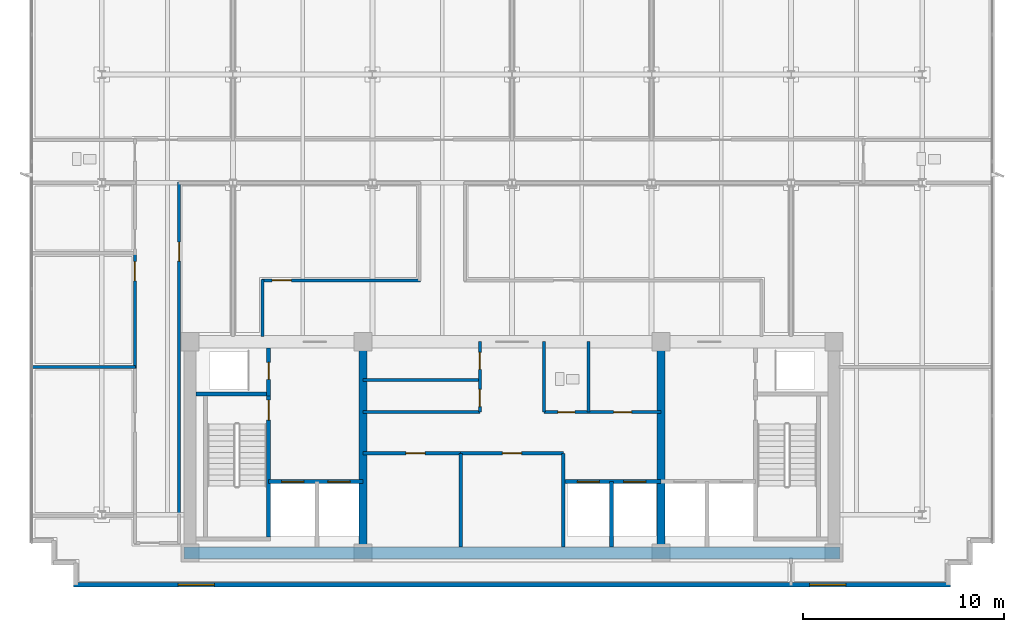
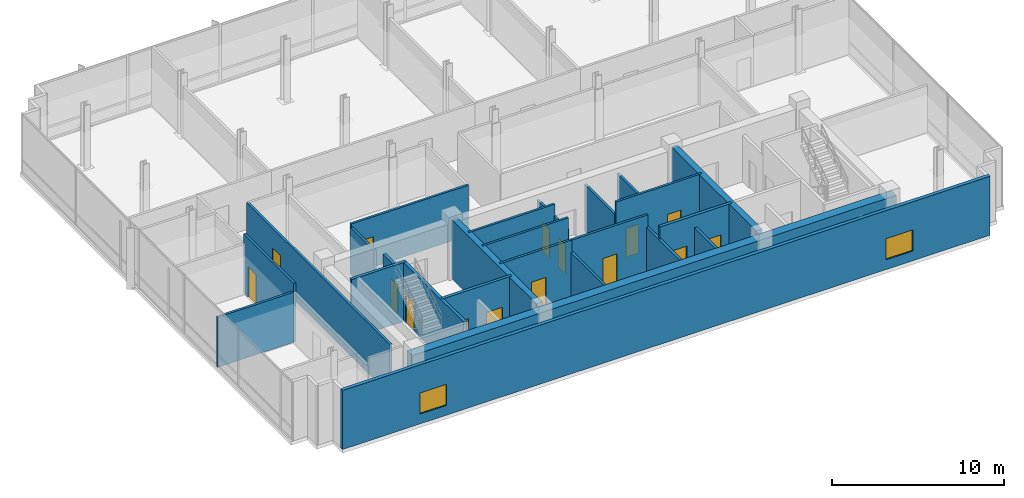
# One storey, part 10 of 17: 25 walls, 15 doors, 2 windows, 17 openings.
"""IFC4 building model written with IfcOpenShell, lengths in metres."""

from ifc_helpers import new_model, si_unit, direction, frame, frame_2d, origin, place, context, subcontext, project, spatial, rectangle, extrude, material, layer, layer_set, type_object, element, fill, save


model = new_model("IFC4")

# Units and contexts
model_context = context("Model", 3, precision=1e-05, world=origin(), true_north=direction((0.0, 1.0)))
body_context = subcontext(model_context, "Body", "Model", "MODEL_VIEW")
ifc_project = project(units=[si_unit("LENGTHUNIT", "METRE"), si_unit("AREAUNIT", "SQUARE_METRE"), si_unit("VOLUMEUNIT", "CUBIC_METRE"), si_unit("PLANEANGLEUNIT", "RADIAN"), si_unit("MASSUNIT", "GRAM", prefix="KILO")], contexts=[model_context])

# Site, building, storey
site_placement = place(None, origin())
site = spatial("IfcSite", under=ifc_project, at=site_placement, CompositionType="ELEMENT")
building_placement = place(site_placement, origin())
building = spatial("IfcBuilding", under=site, at=building_placement, Name="Solmavex Isthmus Hotel", CompositionType="ELEMENT")
storey_placement = place(building_placement, frame((0.0, 0.0, 286.800048828125)))
storey = spatial("IfcBuildingStorey", under=building, at=storey_placement, Name="L78", CompositionType="ELEMENT", Elevation=286.800048828125)

# Wall, openings, windows
ifc_material_1 = material(Name="Precast Concrete C40/50", Category="concrete")
ifc_layer_1 = layer(ifc_material_1, 0.25)
ifc_layer_set_1 = layer_set([ifc_layer_1], Name="Precast Concrete C40/50")
wall_type_1 = type_object("IfcWallType", Name="EW-TWR-250", PredefinedType="STANDARD", material=ifc_layer_set_1)
wall_1_placement = place(storey_placement, frame((-21.800048828125, -14.580078125, 0.0), z_axis=(0.0, 0.0, 1.0), x_axis=(1.0, 0.0, 0.0)))
wall_1 = element("IfcWall", 1, at=wall_1_placement, inside=storey, type_object=wall_type_1, Name="Tower Rear South Facade Wall L78", PredefinedType="STANDARD", context=body_context, shape_type="SweptSolid", body=[
    extrude(rectangle(XDim=43.60009765625, YDim=0.239990234375, at=frame_2d((21.800048828125, 0.0))), origin(), (0.0, 0.0, 1.0), 4.199951171875),
])
opening_1_placement = place(wall_1_placement, frame((5.2041015625, 0.0, 0.699951171875)))
opening_1 = element("IfcOpeningElement", 2, at=opening_1_placement, cuts=wall_1, Name="Opening WN-02", PredefinedType="OPENING", context=body_context, shape_type="SweptSolid", body=[
    extrude(rectangle(XDim=1.800048828125, YDim=1.5, at=frame_2d((0.89990234375, 0.75))), frame((0.0, 0.1298828125, 0.0), z_axis=(0.0, -1.0, 0.0), x_axis=(1.0, 0.0, 0.0)), (0.0, 0.0, 1.0), 0.260009765625),
])
opening_2_placement = place(wall_1_placement, frame((36.595947265625, 0.0, 0.699951171875)))
opening_2 = element("IfcOpeningElement", 3, at=opening_2_placement, cuts=wall_1, Name="Opening WN-02", PredefinedType="OPENING", context=body_context, shape_type="SweptSolid", body=[
    extrude(rectangle(XDim=1.800048828125, YDim=1.5, at=frame_2d((0.89990234375, 0.75))), frame((0.0, 0.1298828125, 0.0), z_axis=(0.0, -1.0, 0.0), x_axis=(1.0, 0.0, 0.0)), (0.0, 0.0, 1.0), 0.260009765625),
])
ifc_material_2 = material(Name="Clear low-E laminated glass", Category="glass")
window_type = type_object("IfcWindowType", Name="WIN-TWR-1800", PartitioningType="SINGLE_PANEL", PredefinedType="WINDOW", material=ifc_material_2)
window_1_placement = place(opening_1_placement, origin())
window_1 = element("IfcWindow", 4, at=window_1_placement, inside=storey, type_object=window_type, Name="South Facade Vision Window L78-S1", OverallHeight=1.5, OverallWidth=1.800048828125, PartitioningType="SINGLE_PANEL", PredefinedType="WINDOW", context=body_context, shape_type="SweptSolid", body=[
    extrude(rectangle(XDim=1.800048828125, YDim=1.5, at=frame_2d((0.89990234375, 0.75))), frame((0.0, 0.030029296875, 0.0), z_axis=(0.0, -1.0, 0.0), x_axis=(1.0, 0.0, 0.0)), (0.0, 0.0, 1.0), 0.06005859375),
])
fill(opening_1, window_1)
window_2_placement = place(opening_2_placement, origin())
window_2 = element("IfcWindow", 5, at=window_2_placement, inside=storey, type_object=window_type, Name="South Facade Vision Window L78-S2", OverallHeight=1.5, OverallWidth=1.800048828125, PartitioningType="SINGLE_PANEL", PredefinedType="WINDOW", context=body_context, shape_type="SweptSolid", body=[
    extrude(rectangle(XDim=1.800048828125, YDim=1.5, at=frame_2d((0.89990234375, 0.75))), frame((0.0, 0.030029296875, 0.0), z_axis=(0.0, -1.0, 0.0), x_axis=(1.0, 0.0, 0.0)), (0.0, 0.0, 1.0), 0.06005859375),
])
fill(opening_2, window_2)

# Wall, opening, door
ifc_material_3 = material(Name="Gypsum plasterboard lining", Category="gypsum")
ifc_layer_2 = layer(ifc_material_3, 0.159912109375)
ifc_layer_set_2 = layer_set([ifc_layer_2], Name="Gypsum plasterboard lining")
wall_type_2 = type_object("IfcWallType", Name="IW-COMP-160", PredefinedType="PARTITIONING", material=ifc_layer_set_2)
wall_2_placement = place(storey_placement, frame((-7.39990234375, -8.050048828125, 0.0), z_axis=(0.0, 0.0, 1.0), x_axis=(1.0, 0.0, 0.0)))
wall_2 = element("IfcWall", 6, at=wall_2_placement, inside=storey, type_object=wall_type_2, Name="Interior Partition Wall W-L78-REC-PLL-N", PredefinedType="PARTITIONING", context=body_context, shape_type="SweptSolid", body=[
    extrude(rectangle(XDim=4.849853515625, YDim=0.159912109375, at=frame_2d((2.4248046875, 0.0))), origin(), (0.0, 0.0, 1.0), 4.199951171875),
])
opening_3_placement = place(wall_2_placement, frame((2.125, 0.0, 0.0)))
opening_3 = element("IfcOpeningElement", 7, at=opening_3_placement, cuts=wall_2, Name="Opening ID-C095", PredefinedType="OPENING", context=body_context, shape_type="SweptSolid", body=[
    extrude(rectangle(XDim=0.949951171875, YDim=2.14990234375, at=frame_2d((0.47509765625, 1.074951171875))), frame((0.0, 0.08984375, 0.0), z_axis=(0.0, -1.0, 0.0), x_axis=(1.0, 0.0, 0.0)), (0.0, 0.0, 1.0), 0.179931640625),
])
ifc_material_4 = material(Name="Hardwood timber", Category="wood")
door_type_1 = type_object("IfcDoorType", Name="IDR-FD60-0950", OperationType="NOTDEFINED", PredefinedType="DOOR", material=ifc_material_4)
door_1_placement = place(opening_3_placement, origin())
door_1 = element("IfcDoor", 8, at=door_1_placement, inside=storey, type_object=door_type_1, Name="Linen Reserve Door L78", OperationType="SINGLE_SWING_LEFT", OverallHeight=2.14990234375, OverallWidth=0.949951171875, PredefinedType="DOOR", context=body_context, shape_type="SweptSolid", body=[
    extrude(rectangle(XDim=0.949951171875, YDim=2.14990234375, at=frame_2d((0.47509765625, 1.074951171875))), frame((0.0, 0.02490234375, 0.0), z_axis=(0.0, -1.0, 0.0), x_axis=(1.0, 0.0, 0.0)), (0.0, 0.0, 1.0), 0.050048828125),
])
fill(opening_3, door_1)

# Wall
wall_3_placement = place(storey_placement, frame((-2.550048828125, -12.699951171875, 0.0), z_axis=(0.0, 0.0, 1.0), x_axis=(0.0, 1.0, 0.0)))
element("IfcWall", 9, at=wall_3_placement, inside=storey, type_object=wall_type_2, Name="Interior Partition Wall W-L78-REC-PLL-E", PredefinedType="PARTITIONING", context=body_context, shape_type="SweptSolid", body=[
    extrude(rectangle(XDim=4.64990234375, YDim=0.159912109375, at=frame_2d((2.324951171875, 0.0))), origin(), (0.0, 0.0, 1.0), 3.3349609375),
])

# Wall, opening, door
wall_4_placement = place(storey_placement, frame((-2.550048828125, -8.050048828125, 0.0), z_axis=(0.0, 0.0, 1.0), x_axis=(1.0, 0.0, 0.0)))
wall_4 = element("IfcWall", 10, at=wall_4_placement, inside=storey, type_object=wall_type_2, Name="Interior Partition Wall W-L78-REC-PLM-N", PredefinedType="PARTITIONING", context=body_context, shape_type="SweptSolid", body=[
    extrude(rectangle(XDim=5.10009765625, YDim=0.159912109375, at=frame_2d((2.550048828125, 0.0))), origin(), (0.0, 0.0, 1.0), 4.199951171875),
])
opening_4_placement = place(wall_4_placement, frame((2.074951171875, 0.0, 0.0)))
opening_4 = element("IfcOpeningElement", 11, at=opening_4_placement, cuts=wall_4, Name="Opening ID-C095", PredefinedType="OPENING", context=body_context, shape_type="SweptSolid", body=[
    extrude(rectangle(XDim=0.949951171875, YDim=2.14990234375, at=frame_2d((0.47509765625, 1.074951171875))), frame((0.0, 0.08984375, 0.0), z_axis=(0.0, -1.0, 0.0), x_axis=(1.0, 0.0, 0.0)), (0.0, 0.0, 1.0), 0.179931640625),
])
door_2_placement = place(opening_4_placement, origin())
door_2 = element("IfcDoor", 12, at=door_2_placement, inside=storey, type_object=door_type_1, Name="Butler Store Door L78", OperationType="SINGLE_SWING_RIGHT", OverallHeight=2.14990234375, OverallWidth=0.949951171875, PredefinedType="DOOR", context=body_context, shape_type="SweptSolid", body=[
    extrude(rectangle(XDim=0.949951171875, YDim=2.14990234375, at=frame_2d((0.47509765625, 1.074951171875))), frame((0.0, 0.02490234375, 0.0), z_axis=(0.0, -1.0, 0.0), x_axis=(1.0, 0.0, 0.0)), (0.0, 0.0, 1.0), 0.050048828125),
])
fill(opening_4, door_2)

# Walls
wall_5_placement = place(storey_placement, frame((2.550048828125, -12.699951171875, 0.0), z_axis=(0.0, 0.0, 1.0), x_axis=(0.0, 1.0, 0.0)))
element("IfcWall", 13, at=wall_5_placement, inside=storey, type_object=wall_type_2, Name="Interior Partition Wall W-L78-REC-PLM-E", PredefinedType="PARTITIONING", context=body_context, shape_type="SweptSolid", body=[
    extrude(rectangle(XDim=4.64990234375, YDim=0.159912109375, at=frame_2d((2.324951171875, 0.0))), origin(), (0.0, 0.0, 1.0), 3.3349609375),
])
wall_6_placement = place(storey_placement, frame((-18.7099609375, -3.75, 0.0), z_axis=(0.0, 0.0, 1.0), x_axis=(-1.0, 0.0, 0.0)))
element("IfcWall", 14, at=wall_6_placement, inside=storey, type_object=wall_type_2, Name="Interior Partition Wall W-L78-P047", PredefinedType="PARTITIONING", context=body_context, shape_type="SweptSolid", body=[
    extrude(rectangle(XDim=5.2099609375, YDim=0.159912109375, at=frame_2d((2.60498046875, 0.0))), origin(), (0.0, 0.0, 1.0), 3.5673828125),
])
ifc_layer_3 = layer(ifc_material_3, 0.14990234375)
ifc_layer_set_3 = layer_set([ifc_layer_3], Name="Gypsum plasterboard lining")
wall_type_3 = type_object("IfcWallType", Name="IW-CORR-150", PredefinedType="PARTITIONING", material=ifc_layer_set_3)
wall_7_placement = place(storey_placement, frame((-7.39990234375, -6.0, 0.0), z_axis=(0.0, 0.0, 1.0), x_axis=(1.0, 0.0, 0.0)))
element("IfcWall", 15, at=wall_7_placement, inside=storey, type_object=wall_type_3, Name="Interior Partition Wall W-L78-BOH-WS", PredefinedType="PARTITIONING", context=body_context, shape_type="SweptSolid", body=[
    extrude(rectangle(XDim=5.7998046875, YDim=0.14990234375, at=frame_2d((2.89990234375, 0.0))), origin(), (0.0, 0.0, 1.0), 4.199951171875),
])

# Wall, openings, doors
wall_8_placement = place(storey_placement, frame((-1.60009765625, -6.0, 0.0), z_axis=(0.0, 0.0, 1.0), x_axis=(0.0, 1.0, 0.0)))
wall_8 = element("IfcWall", 16, at=wall_8_placement, inside=storey, type_object=wall_type_3, Name="Interior Partition Wall W-L78-BOH-WE", PredefinedType="PARTITIONING", context=body_context, shape_type="SweptSolid", body=[
    extrude(rectangle(XDim=3.5, YDim=0.14990234375, at=frame_2d((1.75, 0.0))), origin(), (0.0, 0.0, 1.0), 3.3349609375),
])
opening_5_placement = place(wall_8_placement, frame((0.27490234375, 0.0, 0.0)))
opening_5 = element("IfcOpeningElement", 17, at=opening_5_placement, cuts=wall_8, Name="Opening ID-R085", PredefinedType="OPENING", context=body_context, shape_type="SweptSolid", body=[
    extrude(rectangle(XDim=0.85009765625, YDim=2.050048828125, at=frame_2d((0.425048828125, 1.02490234375))), frame((0.0, 0.0849609375, 0.0), z_axis=(0.0, -1.0, 0.0), x_axis=(1.0, 0.0, 0.0)), (0.0, 0.0, 1.0), 0.169921875),
])
opening_6_placement = place(wall_8_placement, frame((2.125, 0.0, 0.0)))
opening_6 = element("IfcOpeningElement", 18, at=opening_6_placement, cuts=wall_8, Name="Opening ID-R085", PredefinedType="OPENING", context=body_context, shape_type="SweptSolid", body=[
    extrude(rectangle(XDim=0.85009765625, YDim=2.050048828125, at=frame_2d((0.425048828125, 1.02490234375))), frame((0.0, 0.0849609375, 0.0), z_axis=(0.0, -1.0, 0.0), x_axis=(1.0, 0.0, 0.0)), (0.0, 0.0, 1.0), 0.169921875),
])
ifc_material_5 = material(Name="Steel ASTM A500 Grade C", Category="steel")
door_type_2 = type_object("IfcDoorType", Name="IDR-FD60-0850", OperationType="NOTDEFINED", PredefinedType="DOOR", material=ifc_material_5)
door_3_placement = place(opening_5_placement, origin())
door_3 = element("IfcDoor", 19, at=door_3_placement, inside=storey, type_object=door_type_2, Name="Housekeeping Door L78", OperationType="SINGLE_SWING_LEFT", OverallHeight=2.050048828125, OverallWidth=0.85009765625, PredefinedType="DOOR", context=body_context, shape_type="SweptSolid", body=[
    extrude(rectangle(XDim=0.85009765625, YDim=2.050048828125, at=frame_2d((0.425048828125, 1.02490234375))), frame((0.0, 0.02490234375, 0.0), z_axis=(0.0, -1.0, 0.0), x_axis=(1.0, 0.0, 0.0)), (0.0, 0.0, 1.0), 0.050048828125),
])
fill(opening_5, door_3)
door_4_placement = place(opening_6_placement, origin())
door_4 = element("IfcDoor", 20, at=door_4_placement, inside=storey, type_object=door_type_2, Name="Valet Store Door L78", OperationType="SINGLE_SWING_RIGHT", OverallHeight=2.050048828125, OverallWidth=0.85009765625, PredefinedType="DOOR", context=body_context, shape_type="SweptSolid", body=[
    extrude(rectangle(XDim=0.85009765625, YDim=2.050048828125, at=frame_2d((0.425048828125, 1.02490234375))), frame((0.0, 0.02490234375, 0.0), z_axis=(0.0, -1.0, 0.0), x_axis=(1.0, 0.0, 0.0)), (0.0, 0.0, 1.0), 0.050048828125),
])
fill(opening_6, door_4)

wall_9_placement = place(storey_placement, frame((1.60009765625, -6.0, 0.0), z_axis=(0.0, 0.0, 1.0), x_axis=(1.0, 0.0, 0.0)))
wall_9 = element("IfcWall", 21, at=wall_9_placement, inside=storey, type_object=wall_type_3, Name="Interior Partition Wall W-L78-BOH-ES", PredefinedType="PARTITIONING", context=body_context, shape_type="SweptSolid", body=[
    extrude(rectangle(XDim=5.7998046875, YDim=0.14990234375, at=frame_2d((2.89990234375, 0.0))), origin(), (0.0, 0.0, 1.0), 4.199951171875),
])
opening_7_placement = place(wall_9_placement, frame((0.675048828125, 0.0, 0.0)))
opening_7 = element("IfcOpeningElement", 22, at=opening_7_placement, cuts=wall_9, Name="Opening ID-R085", PredefinedType="OPENING", context=body_context, shape_type="SweptSolid", body=[
    extrude(rectangle(XDim=0.85009765625, YDim=2.050048828125, at=frame_2d((0.425048828125, 1.02490234375))), frame((0.0, 0.0849609375, 0.0), z_axis=(0.0, -1.0, 0.0), x_axis=(1.0, 0.0, 0.0)), (0.0, 0.0, 1.0), 0.169921875),
])
opening_8_placement = place(wall_9_placement, frame((3.449951171875, 0.0, 0.0)))
opening_8 = element("IfcOpeningElement", 23, at=opening_8_placement, cuts=wall_9, Name="Opening ID-C090", PredefinedType="OPENING", context=body_context, shape_type="SweptSolid", body=[
    extrude(rectangle(XDim=0.89990234375, YDim=2.10009765625, at=frame_2d((0.449951171875, 1.050048828125))), frame((0.0, 0.0849609375, 0.0), z_axis=(0.0, -1.0, 0.0), x_axis=(1.0, 0.0, 0.0)), (0.0, 0.0, 1.0), 0.169921875),
])
door_5_placement = place(opening_7_placement, frame((0.85009765625, 0.0, 0.0), z_axis=(0.0, 0.0, 1.0), x_axis=(-1.0, 0.0, 0.0)))
door_5 = element("IfcDoor", 24, at=door_5_placement, inside=storey, type_object=door_type_2, Name="Staff WC Door L78", OperationType="SINGLE_SWING_LEFT", OverallHeight=2.050048828125, OverallWidth=0.85009765625, PredefinedType="DOOR", context=body_context, shape_type="SweptSolid", body=[
    extrude(rectangle(XDim=0.85009765625, YDim=2.050048828125, at=frame_2d((0.425048828125, 1.02490234375))), frame((0.0, 0.02490234375, 0.0), z_axis=(0.0, -1.0, 0.0), x_axis=(1.0, 0.0, 0.0)), (0.0, 0.0, 1.0), 0.050048828125),
])
fill(opening_7, door_5)
door_type_3 = type_object("IfcDoorType", Name="IDR-FD60-0900", OperationType="NOTDEFINED", PredefinedType="DOOR", material=ifc_material_4)
door_6_placement = place(opening_8_placement, frame((0.89990234375, 0.0, 0.0), z_axis=(0.0, 0.0, 1.0), x_axis=(-1.0, 0.0, 0.0)))
door_6 = element("IfcDoor", 25, at=door_6_placement, inside=storey, type_object=door_type_3, Name="Room Service Door L78", OperationType="SINGLE_SWING_RIGHT", OverallHeight=2.10009765625, OverallWidth=0.89990234375, PredefinedType="DOOR", context=body_context, shape_type="SweptSolid", body=[
    extrude(rectangle(XDim=0.89990234375, YDim=2.10009765625, at=frame_2d((0.449951171875, 1.050048828125))), frame((0.0, 0.02490234375, 0.0), z_axis=(0.0, -1.0, 0.0), x_axis=(1.0, 0.0, 0.0)), (0.0, 0.0, 1.0), 0.050048828125),
])
fill(opening_8, door_6)

# Wall
wall_10_placement = place(storey_placement, frame((1.60009765625, -6.0, 0.0), z_axis=(0.0, 0.0, 1.0), x_axis=(0.0, 1.0, 0.0)))
element("IfcWall", 26, at=wall_10_placement, inside=storey, type_object=wall_type_3, Name="Interior Partition Wall W-L78-BOH-EW", PredefinedType="PARTITIONING", context=body_context, shape_type="SweptSolid", body=[
    extrude(rectangle(XDim=3.5, YDim=0.14990234375, at=frame_2d((1.75, 0.0))), origin(), (0.0, 0.0, 1.0), 3.3349609375),
])

# Wall, opening, door
wall_11_placement = place(storey_placement, frame((-16.550048828125, 5.43994140625, 0.0), z_axis=(0.0, 0.0, 1.0), x_axis=(0.0, -1.0, 0.0)))
wall_11 = element("IfcWall", 27, at=wall_11_placement, inside=storey, type_object=wall_type_3, Name="Interior Partition Wall W-L78-P009", PredefinedType="PARTITIONING", context=body_context, shape_type="SweptSolid", body=[
    extrude(rectangle(XDim=16.671875, YDim=0.14990234375, at=frame_2d((8.3359375, 0.0))), origin(), (0.0, 0.0, 1.0), 3.5673828125),
])
opening_9_placement = place(wall_11_placement, frame((2.98291015625, 0.0, 0.0)))
opening_9 = element("IfcOpeningElement", 28, at=opening_9_placement, cuts=wall_11, Name="Opening ID-C095", PredefinedType="OPENING", context=body_context, shape_type="SweptSolid", body=[
    extrude(rectangle(XDim=0.949951171875, YDim=2.14990234375, at=frame_2d((0.47509765625, 1.074951171875))), frame((0.0, 0.0849609375, 0.0), z_axis=(0.0, -1.0, 0.0), x_axis=(1.0, 0.0, 0.0)), (0.0, 0.0, 1.0), 0.169921875),
])
door_7_placement = place(opening_9_placement, frame((0.949951171875, 0.0, 0.0), z_axis=(0.0, 0.0, 1.0), x_axis=(-1.0, 0.0, 0.0)))
door_7 = element("IfcDoor", 29, at=door_7_placement, inside=storey, type_object=door_type_1, Name="VIP Boardroom Door L78-08", OperationType="SINGLE_SWING_RIGHT", OverallHeight=2.14990234375, OverallWidth=0.949951171875, PredefinedType="DOOR", context=body_context, shape_type="SweptSolid", body=[
    extrude(rectangle(XDim=0.949951171875, YDim=2.14990234375, at=frame_2d((0.47509765625, 1.074951171875))), frame((0.0, 0.02490234375, 0.0), z_axis=(0.0, -1.0, 0.0), x_axis=(1.0, 0.0, 0.0)), (0.0, 0.0, 1.0), 0.050048828125),
])
fill(opening_9, door_7)

wall_12_placement = place(storey_placement, frame((-18.75, -3.83203125, 0.0), z_axis=(0.0, 0.0, 1.0), x_axis=(0.0, 1.0, 0.0)))
wall_12 = element("IfcWall", 30, at=wall_12_placement, inside=storey, type_object=wall_type_3, Name="Interior Partition Wall W-L78-P010", PredefinedType="PARTITIONING", context=body_context, shape_type="SweptSolid", body=[
    extrude(rectangle(XDim=5.81396484375, YDim=0.14990234375, at=frame_2d((2.906982421875, 0.0))), origin(), (0.0, 0.0, 1.0), 4.199951171875),
])
opening_10_placement = place(wall_12_placement, frame((4.358642578125, 0.0, 0.0)))
opening_10 = element("IfcOpeningElement", 31, at=opening_10_placement, cuts=wall_12, Name="Opening ID-C095", PredefinedType="OPENING", context=body_context, shape_type="SweptSolid", body=[
    extrude(rectangle(XDim=0.949951171875, YDim=2.14990234375, at=frame_2d((0.47509765625, 1.074951171875))), frame((0.0, 0.0849609375, 0.0), z_axis=(0.0, -1.0, 0.0), x_axis=(1.0, 0.0, 0.0)), (0.0, 0.0, 1.0), 0.169921875),
])
door_8_placement = place(opening_10_placement, origin())
door_8 = element("IfcDoor", 32, at=door_8_placement, inside=storey, type_object=door_type_1, Name="Sky Bar Kitchen Door L78-09", OperationType="SINGLE_SWING_LEFT", OverallHeight=2.14990234375, OverallWidth=0.949951171875, PredefinedType="DOOR", context=body_context, shape_type="SweptSolid", body=[
    extrude(rectangle(XDim=0.949951171875, YDim=2.14990234375, at=frame_2d((0.47509765625, 1.074951171875))), frame((0.0, 0.02490234375, 0.0), z_axis=(0.0, -1.0, 0.0), x_axis=(1.0, 0.0, 0.0)), (0.0, 0.0, 1.0), 0.050048828125),
])
fill(opening_10, door_8)

# Wall
wall_13_placement = place(storey_placement, frame((-12.39990234375, -2.239990234375, 0.0), z_axis=(0.0, 0.0, 1.0), x_axis=(0.0, 1.0, 0.0)))
element("IfcWall", 33, at=wall_13_placement, inside=storey, type_object=wall_type_3, Name="Interior Partition Wall W-L78-P012", PredefinedType="PARTITIONING", context=body_context, shape_type="SweptSolid", body=[
    extrude(rectangle(XDim=2.830078125, YDim=0.14990234375, at=frame_2d((1.4150390625, 0.0))), origin(), (0.0, 0.0, 1.0), 3.3349609375),
])

# Wall, opening, door
wall_14_placement = place(storey_placement, frame((-12.43994140625, 0.550048828125, 0.0), z_axis=(0.0, 0.0, 1.0), x_axis=(1.0, 0.0, 0.0)))
wall_14 = element("IfcWall", 34, at=wall_14_placement, inside=storey, type_object=wall_type_3, Name="Interior Partition Wall W-L78-P013", PredefinedType="PARTITIONING", context=body_context, shape_type="SweptSolid", body=[
    extrude(rectangle(XDim=7.891845703125, YDim=0.14990234375, at=frame_2d((3.94580078125, 0.0))), origin(), (0.0, 0.0, 1.0), 3.582275390625),
])
opening_11_placement = place(wall_14_placement, frame((0.51806640625, 0.0, 0.0)))
opening_11 = element("IfcOpeningElement", 35, at=opening_11_placement, cuts=wall_14, Name="Opening ID-C095", PredefinedType="OPENING", context=body_context, shape_type="SweptSolid", body=[
    extrude(rectangle(XDim=0.949951171875, YDim=2.14990234375, at=frame_2d((0.47509765625, 1.074951171875))), frame((0.0, 0.0849609375, 0.0), z_axis=(0.0, -1.0, 0.0), x_axis=(1.0, 0.0, 0.0)), (0.0, 0.0, 1.0), 0.169921875),
])
door_9_placement = place(opening_11_placement, origin())
door_9 = element("IfcDoor", 36, at=door_9_placement, inside=storey, type_object=door_type_1, Name="Catering Servery Kitchen Door L78-11", OperationType="SINGLE_SWING_LEFT", OverallHeight=2.14990234375, OverallWidth=0.949951171875, PredefinedType="DOOR", context=body_context, shape_type="SweptSolid", body=[
    extrude(rectangle(XDim=0.949951171875, YDim=2.14990234375, at=frame_2d((0.47509765625, 1.074951171875))), frame((0.0, 0.02490234375, 0.0), z_axis=(0.0, -1.0, 0.0), x_axis=(1.0, 0.0, 0.0)), (0.0, 0.0, 1.0), 0.050048828125),
])
fill(opening_11, door_9)

# Walls
ifc_layer_4 = layer(ifc_material_3, 0.1201171875)
ifc_layer_set_4 = layer_set([ifc_layer_4], Name="Gypsum plasterboard lining")
wall_type_4 = type_object("IfcWallType", Name="IW-PART-120", PredefinedType="PARTITIONING", material=ifc_layer_set_4)
wall_15_placement = place(storey_placement, frame((-7.39990234375, -4.39990234375, 0.0), z_axis=(0.0, 0.0, 1.0), x_axis=(1.0, 0.0, 0.0)))
element("IfcWall", 37, at=wall_15_placement, inside=storey, type_object=wall_type_4, Name="Interior Partition Wall W-L78-BOH-WH3", PredefinedType="PARTITIONING", context=body_context, shape_type="SweptSolid", body=[
    extrude(rectangle(XDim=5.7998046875, YDim=0.14990234375, at=frame_2d((2.89990234375, 0.0))), origin(), (0.0, 0.0, 1.0), 4.199951171875),
])
wall_16_placement = place(storey_placement, frame((3.800048828125, -6.0, 0.0), z_axis=(0.0, 0.0, 1.0), x_axis=(0.0, 1.0, 0.0)))
element("IfcWall", 38, at=wall_16_placement, inside=storey, type_object=wall_type_4, Name="Interior Partition Wall W-L78-BOH-EM3", PredefinedType="PARTITIONING", context=body_context, shape_type="SweptSolid", body=[
    extrude(rectangle(XDim=3.5, YDim=0.14990234375, at=frame_2d((1.75, 0.0))), origin(), (0.0, 0.0, 1.0), 3.3349609375),
])
ifc_material_6 = material(Name="Concrete C40/50", Category="concrete")
ifc_layer_5 = layer(ifc_material_6, 0.179931640625)
ifc_layer_set_5 = layer_set([ifc_layer_5], Name="Concrete C40/50")
wall_type_5 = type_object("IfcWallType", Name="IW-SHAFT-180", PredefinedType="PARTITIONING", material=ifc_layer_set_5)
wall_17_placement = place(storey_placement, frame((4.949951171875, -12.699951171875, 0.0), z_axis=(0.0, 0.0, 1.0), x_axis=(0.0, 1.0, 0.0)))
element("IfcWall", 39, at=wall_17_placement, inside=storey, type_object=wall_type_5, Name="Interior Partition Wall W-L78-SH-PLH-M", PredefinedType="PARTITIONING", context=body_context, shape_type="SweptSolid", body=[
    extrude(rectangle(XDim=3.25, YDim=0.179931640625, at=frame_2d((1.625, 0.0))), origin(), (0.0, 0.0, 1.0), 3.3349609375),
])

# Wall, opening, door
ifc_layer_6 = layer(ifc_material_6, 0.199951171875)
ifc_layer_set_6 = layer_set([ifc_layer_6], Name="Concrete C40/50")
wall_type_6 = type_object("IfcWallType", Name="IW-SHAFT-200", PredefinedType="PARTITIONING", material=ifc_layer_set_6)
wall_18_placement = place(storey_placement, frame((-12.10009765625, -5.199951171875, 0.0), z_axis=(0.0, 0.0, 1.0), x_axis=(0.0, 1.0, 0.0)))
wall_18 = element("IfcWall", 40, at=wall_18_placement, inside=storey, type_object=wall_type_6, Name="Interior Partition Wall W-L78-RSW-E", PredefinedType="PARTITIONING", context=body_context, shape_type="SweptSolid", body=[
    extrude(rectangle(XDim=2.39990234375, YDim=0.199951171875, at=frame_2d((1.199951171875, 0.0))), origin(), (0.0, 0.0, 1.0), 3.3349609375),
])
opening_12_placement = place(wall_18_placement, frame((0.824951171875, 0.0, 0.0)))
opening_12 = element("IfcOpeningElement", 41, at=opening_12_placement, cuts=wall_18, Name="Opening ID-R085", PredefinedType="OPENING", context=body_context, shape_type="SweptSolid", body=[
    extrude(rectangle(XDim=0.85009765625, YDim=2.050048828125, at=frame_2d((0.425048828125, 1.02490234375))), frame((0.0, 0.10986328125, 0.0), z_axis=(0.0, -1.0, 0.0), x_axis=(1.0, 0.0, 0.0)), (0.0, 0.0, 1.0), 0.219970703125),
])
door_10_placement = place(opening_12_placement, origin())
door_10 = element("IfcDoor", 42, at=door_10_placement, inside=storey, type_object=door_type_2, Name="Electrical Riser Door L78", OperationType="SINGLE_SWING_RIGHT", OverallHeight=2.050048828125, OverallWidth=0.85009765625, PredefinedType="DOOR", context=body_context, shape_type="SweptSolid", body=[
    extrude(rectangle(XDim=0.85009765625, YDim=2.050048828125, at=frame_2d((0.425048828125, 1.02490234375))), frame((0.0, 0.02490234375, 0.0), z_axis=(0.0, -1.0, 0.0), x_axis=(1.0, 0.0, 0.0)), (0.0, 0.0, 1.0), 0.050048828125),
])
fill(opening_12, door_10)

# Wall, openings, doors
wall_19_placement = place(storey_placement, frame((-12.10009765625, -9.449951171875, 0.0), z_axis=(0.0, 0.0, 1.0), x_axis=(1.0, 0.0, 0.0)))
wall_19 = element("IfcWall", 43, at=wall_19_placement, inside=storey, type_object=wall_type_6, Name="Interior Partition Wall W-L78-FFLW-S", PredefinedType="PARTITIONING", context=body_context, shape_type="SweptSolid", body=[
    extrude(rectangle(XDim=4.7001953125, YDim=0.199951171875, at=frame_2d((2.35009765625, 0.0))), origin(), (0.0, 0.0, 1.0), 4.199951171875),
])
opening_13_placement = place(wall_19_placement, frame((0.64990234375, 0.0, 0.0)))
opening_13 = element("IfcOpeningElement", 44, at=opening_13_placement, cuts=wall_19, Name="Opening LD-FF", PredefinedType="OPENING", context=body_context, shape_type="SweptSolid", body=[
    extrude(rectangle(XDim=1.10009765625, YDim=2.199951171875, at=frame_2d((0.550048828125, 1.10009765625))), frame((0.0, 0.10986328125, 0.0), z_axis=(0.0, -1.0, 0.0), x_axis=(1.0, 0.0, 0.0)), (0.0, 0.0, 1.0), 0.219970703125),
])
opening_14_placement = place(wall_19_placement, frame((2.949951171875, 0.0, 0.0)))
opening_14 = element("IfcOpeningElement", 45, at=opening_14_placement, cuts=wall_19, Name="Opening LD-SV", PredefinedType="OPENING", context=body_context, shape_type="SweptSolid", body=[
    extrude(rectangle(XDim=1.10009765625, YDim=2.199951171875, at=frame_2d((0.550048828125, 1.10009765625))), frame((0.0, 0.10986328125, 0.0), z_axis=(0.0, -1.0, 0.0), x_axis=(1.0, 0.0, 0.0)), (0.0, 0.0, 1.0), 0.219970703125),
])
ifc_material_7 = material(Name="Stainless steel 316", Category="steel")
door_type_4 = type_object("IfcDoorType", Name="LDR-FF-1100", OperationType="NOTDEFINED", PredefinedType="DOOR", material=ifc_material_7)
door_11_placement = place(opening_13_placement, origin())
door_11 = element("IfcDoor", 46, at=door_11_placement, inside=storey, type_object=door_type_4, Name="Lift Landing Door FFL-1 L78", OperationType="SLIDING_TO_LEFT", OverallHeight=2.199951171875, OverallWidth=1.10009765625, PredefinedType="DOOR", context=body_context, shape_type="SweptSolid", body=[
    extrude(rectangle(XDim=1.10009765625, YDim=2.199951171875, at=frame_2d((0.550048828125, 1.10009765625))), frame((0.0, 0.02490234375, 0.0), z_axis=(0.0, -1.0, 0.0), x_axis=(1.0, 0.0, 0.0)), (0.0, 0.0, 1.0), 0.050048828125),
])
fill(opening_13, door_11)
door_type_5 = type_object("IfcDoorType", Name="LDR-SV-1100", OperationType="NOTDEFINED", PredefinedType="DOOR", material=ifc_material_7)
door_12_placement = place(opening_14_placement, origin())
door_12 = element("IfcDoor", 47, at=door_12_placement, inside=storey, type_object=door_type_5, Name="Lift Landing Door SVL-1 L78", OperationType="SLIDING_TO_RIGHT", OverallHeight=2.199951171875, OverallWidth=1.10009765625, PredefinedType="DOOR", context=body_context, shape_type="SweptSolid", body=[
    extrude(rectangle(XDim=1.10009765625, YDim=2.199951171875, at=frame_2d((0.550048828125, 1.10009765625))), frame((0.0, 0.02490234375, 0.0), z_axis=(0.0, -1.0, 0.0), x_axis=(1.0, 0.0, 0.0)), (0.0, 0.0, 1.0), 0.050048828125),
])
fill(opening_14, door_12)

wall_20_placement = place(storey_placement, frame((2.550048828125, -9.449951171875, 0.0), z_axis=(0.0, 0.0, 1.0), x_axis=(1.0, 0.0, 0.0)))
wall_20 = element("IfcWall", 48, at=wall_20_placement, inside=storey, type_object=wall_type_6, Name="Interior Partition Wall W-L78-SH-PLH", PredefinedType="PARTITIONING", context=body_context, shape_type="SweptSolid", body=[
    extrude(rectangle(XDim=4.849853515625, YDim=0.199951171875, at=frame_2d((2.4248046875, 0.0))), origin(), (0.0, 0.0, 1.0), 4.199951171875),
])
opening_15_placement = place(wall_20_placement, frame((0.699951171875, 0.0, 0.0)))
opening_15 = element("IfcOpeningElement", 49, at=opening_15_placement, cuts=wall_20, Name="Opening LD-PL", PredefinedType="OPENING", context=body_context, shape_type="SweptSolid", body=[
    extrude(rectangle(XDim=1.10009765625, YDim=2.199951171875, at=frame_2d((0.550048828125, 1.10009765625))), frame((0.0, 0.10986328125, 0.0), z_axis=(0.0, -1.0, 0.0), x_axis=(1.0, 0.0, 0.0)), (0.0, 0.0, 1.0), 0.219970703125),
])
opening_16_placement = place(wall_20_placement, frame((3.0, 0.0, 0.0)))
opening_16 = element("IfcOpeningElement", 50, at=opening_16_placement, cuts=wall_20, Name="Opening LD-PL", PredefinedType="OPENING", context=body_context, shape_type="SweptSolid", body=[
    extrude(rectangle(XDim=1.10009765625, YDim=2.199951171875, at=frame_2d((0.550048828125, 1.10009765625))), frame((0.0, 0.10986328125, 0.0), z_axis=(0.0, -1.0, 0.0), x_axis=(1.0, 0.0, 0.0)), (0.0, 0.0, 1.0), 0.219970703125),
])
door_type_6 = type_object("IfcDoorType", Name="LDR-PL-1100", OperationType="NOTDEFINED", PredefinedType="DOOR", material=ifc_material_7)
door_13_placement = place(opening_15_placement, origin())
door_13 = element("IfcDoor", 51, at=door_13_placement, inside=storey, type_object=door_type_6, Name="Lift Landing Door PLH1 L78", OperationType="SLIDING_TO_LEFT", OverallHeight=2.199951171875, OverallWidth=1.10009765625, PredefinedType="DOOR", context=body_context, shape_type="SweptSolid", body=[
    extrude(rectangle(XDim=1.10009765625, YDim=2.199951171875, at=frame_2d((0.550048828125, 1.10009765625))), frame((0.0, 0.02490234375, 0.0), z_axis=(0.0, -1.0, 0.0), x_axis=(1.0, 0.0, 0.0)), (0.0, 0.0, 1.0), 0.050048828125),
])
fill(opening_15, door_13)
door_14_placement = place(opening_16_placement, origin())
door_14 = element("IfcDoor", 52, at=door_14_placement, inside=storey, type_object=door_type_6, Name="Lift Landing Door PLH2 L78", OperationType="SLIDING_TO_LEFT", OverallHeight=2.199951171875, OverallWidth=1.10009765625, PredefinedType="DOOR", context=body_context, shape_type="SweptSolid", body=[
    extrude(rectangle(XDim=1.10009765625, YDim=2.199951171875, at=frame_2d((0.550048828125, 1.10009765625))), frame((0.0, 0.02490234375, 0.0), z_axis=(0.0, -1.0, 0.0), x_axis=(1.0, 0.0, 0.0)), (0.0, 0.0, 1.0), 0.050048828125),
])
fill(opening_16, door_14)

# Walls
ifc_material_8 = material(Name="Concrete C50/60", Category="concrete")
ifc_layer_7 = layer(ifc_material_8, 0.39990234375)
ifc_layer_set_7 = layer_set([ifc_layer_7], Name="Concrete C50/60")
wall_type_7 = type_object("IfcWallType", Name="WALL-CW-400H", PredefinedType="SHEAR", material=ifc_layer_set_7)
for number, where, z_axis, x_axis, name in (
    (53, (-7.39990234375, -12.699951171875, 0.0), (0.0, 0.0, 1.0), (0.0, 1.0, 0.0), "Core Cross Shear Wall C1 L78"),
    (54, (7.39990234375, -12.699951171875, 0.0), (0.0, 0.0, 1.0), (0.0, 1.0, 0.0), "Core Cross Shear Wall C2 L78"),
):
    element("IfcWall", number, at=place(storey_placement, frame(where, z_axis=z_axis, x_axis=x_axis)), inside=storey, type_object=wall_type_7, Name=name, PredefinedType="SHEAR", context=body_context, shape_type="SweptSolid", body=[
        extrude(rectangle(XDim=9.89990234375, YDim=0.39990234375, at=frame_2d((4.949951171875, 0.0))), origin(), (0.0, 0.0, 1.0), 4.199951171875),
    ])
ifc_layer_8 = layer(ifc_material_8, 0.60009765625)
ifc_layer_set_8 = layer_set([ifc_layer_8], Name="Concrete C50/60")
wall_type_8 = type_object("IfcWallType", Name="WALL-CW-600", PredefinedType="SHEAR", material=ifc_layer_set_8)
wall_21_placement = place(storey_placement, frame((-16.300048828125, -13.0, 0.0), z_axis=(0.0, 0.0, 1.0), x_axis=(1.0, 0.0, 0.0)))
element("IfcWall", 55, at=wall_21_placement, inside=storey, type_object=wall_type_8, Name="Core Shear Wall South L78", PredefinedType="SHEAR", context=body_context, shape_type="SweptSolid", body=[
    extrude(rectangle(XDim=32.60009765625, YDim=0.60009765625, at=frame_2d((16.300048828125, 0.0))), origin(), (0.0, 0.0, 1.0), 3.919921875),
])
ifc_layer_9 = layer(ifc_material_6, 0.199951171875)
ifc_layer_set_9 = layer_set([ifc_layer_9], Name="Concrete C40/50")
wall_type_9 = type_object("IfcWallType", Name="WALL-SW-200", PredefinedType="SOLIDWALL", material=ifc_layer_set_9)
wall_22_placement = place(storey_placement, frame((-15.699951171875, -5.10009765625, 0.0), z_axis=(0.0, 0.0, 1.0), x_axis=(1.0, 0.0, 0.0)))
element("IfcWall", 56, at=wall_22_placement, inside=storey, type_object=wall_type_9, Name="Stairwell Structural Wall SW-L78-ST1-N", PredefinedType="SOLIDWALL", context=body_context, shape_type="SweptSolid", body=[
    extrude(rectangle(XDim=3.699951171875, YDim=0.199951171875, at=frame_2d((1.85009765625, 0.0))), origin(), (0.0, 0.0, 1.0), 4.199951171875),
])

# Wall, opening, door
wall_23_placement = place(storey_placement, frame((-12.10009765625, -12.199951171875, 0.0), z_axis=(0.0, 0.0, 1.0), x_axis=(0.0, 1.0, 0.0)))
wall_23 = element("IfcWall", 57, at=wall_23_placement, inside=storey, type_object=wall_type_9, Name="Stairwell Structural Wall SW-L78-ST1-E", PredefinedType="SOLIDWALL", context=body_context, shape_type="SweptSolid", body=[
    extrude(rectangle(XDim=7.0, YDim=0.199951171875, at=frame_2d((3.5, 0.0))), origin(), (0.0, 0.0, 1.0), 4.199951171875),
])
opening_17_placement = place(wall_23_placement, frame((5.800048828125, 0.0, 0.0)))
opening_17 = element("IfcOpeningElement", 58, at=opening_17_placement, cuts=wall_23, Name="Opening ID-F100", PredefinedType="OPENING", context=body_context, shape_type="SweptSolid", body=[
    extrude(rectangle(XDim=1.0, YDim=2.10009765625, at=frame_2d((0.5, 1.050048828125))), frame((0.0, 0.10986328125, 0.0), z_axis=(0.0, -1.0, 0.0), x_axis=(1.0, 0.0, 0.0)), (0.0, 0.0, 1.0), 0.219970703125),
])
door_type_7 = type_object("IfcDoorType", Name="IDR-FD90-1000", OperationType="NOTDEFINED", PredefinedType="DOOR", material=ifc_material_5)
door_15_placement = place(opening_17_placement, frame((1.0, 0.0, 0.0), z_axis=(0.0, 0.0, 1.0), x_axis=(-1.0, 0.0, 0.0)))
door_15 = element("IfcDoor", 59, at=door_15_placement, inside=storey, type_object=door_type_7, Name="Stair ST-1 Fire Door L78", OperationType="SINGLE_SWING_LEFT", OverallHeight=2.10009765625, OverallWidth=1.0, PredefinedType="DOOR", context=body_context, shape_type="SweptSolid", body=[
    extrude(rectangle(XDim=1.0, YDim=2.10009765625, at=frame_2d((0.5, 1.050048828125))), frame((0.0, 0.02490234375, 0.0), z_axis=(0.0, -1.0, 0.0), x_axis=(1.0, 0.0, 0.0)), (0.0, 0.0, 1.0), 0.050048828125),
])
fill(opening_17, door_15)

save(model, "model.ifc")
